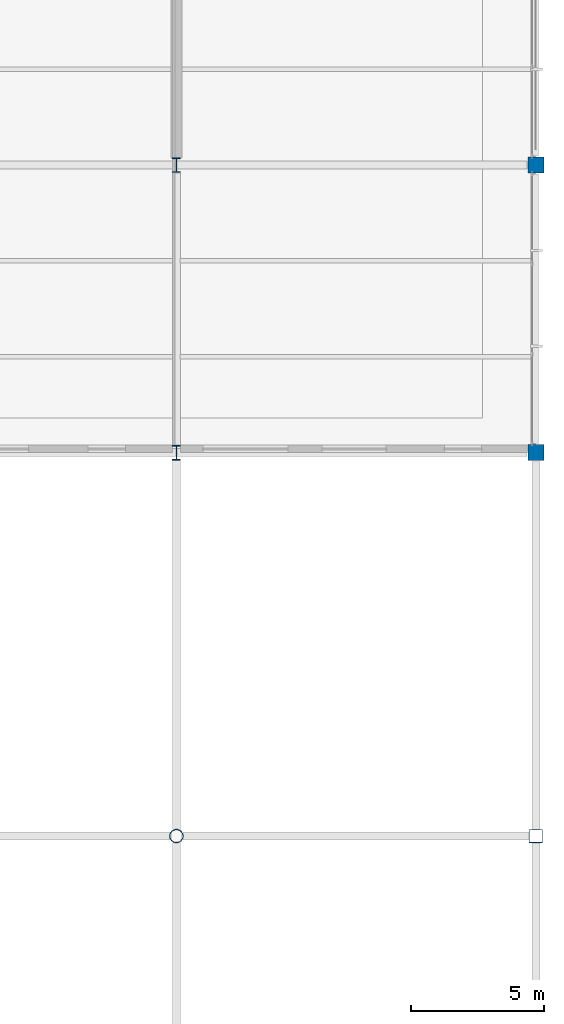
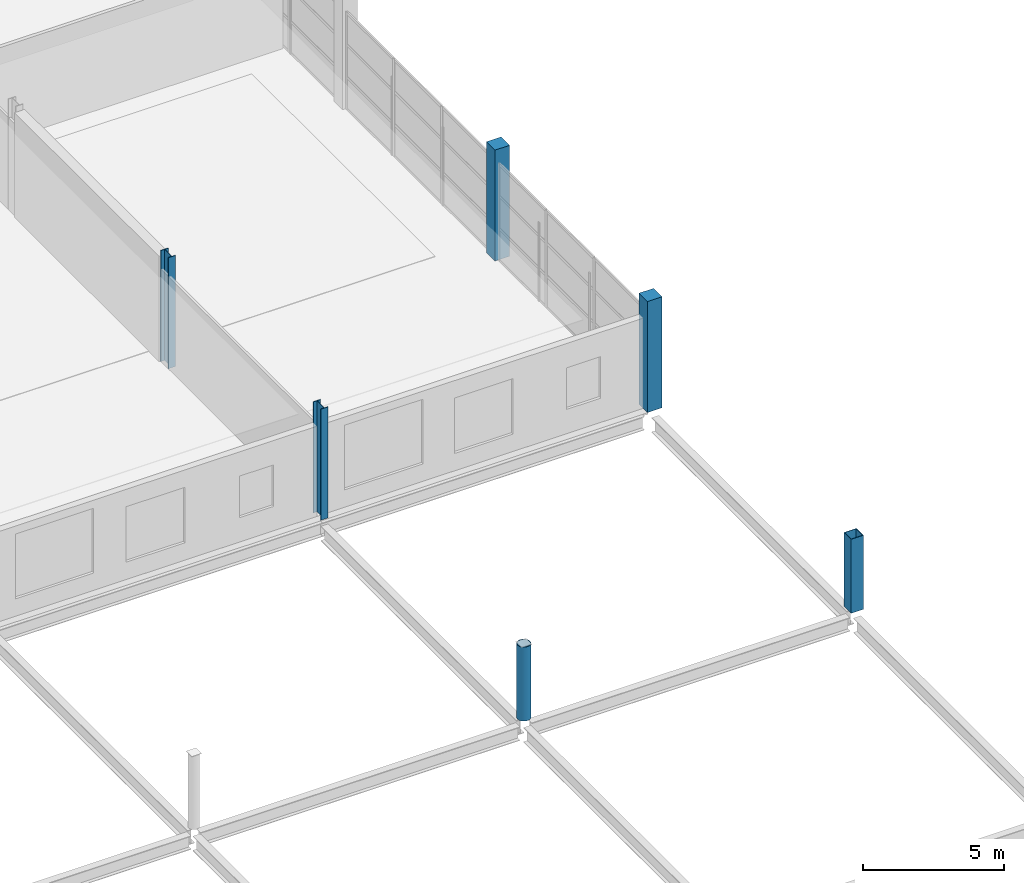
# One storey, part 18 of 134: 6 columns.
"""IFC4 building model written with IfcOpenShell, lengths in metres."""

from ifc_helpers import new_model, si_unit, direction, frame, origin, origin_2d, place, context, subcontext, project, spatial, rectangle, hollow_rectangle, hollow_circle, i_section, extrude, material, material_profile, profile_set, type_object, element, save


model = new_model("IFC4")

# Units and contexts
model_context = context("Model", 3, precision=1e-05, world=origin(), true_north=direction((0.0, 1.0)))
body_context = subcontext(model_context, "Body", "Model", "MODEL_VIEW")
ifc_project = project(units=[si_unit("LENGTHUNIT", "METRE"), si_unit("AREAUNIT", "SQUARE_METRE"), si_unit("VOLUMEUNIT", "CUBIC_METRE"), si_unit("PLANEANGLEUNIT", "RADIAN"), si_unit("MASSUNIT", "GRAM", prefix="KILO")], contexts=[model_context])

# Site, building, storey
site_placement = place(None, origin())
site = spatial("IfcSite", under=ifc_project, at=site_placement, CompositionType="ELEMENT")
building_placement = place(site_placement, origin())
building = spatial("IfcBuilding", under=site, at=building_placement, Name="Tamarisk Ironworks Central Station", CompositionType="ELEMENT")
storey_placement = place(building_placement, frame((0.0, 0.0, 12.60009765625)))
storey = spatial("IfcBuildingStorey", under=building, at=storey_placement, Name="L02", CompositionType="ELEMENT", Elevation=12.60009765625)

# Columns
ifc_material_1 = material(Name="Concrete C50/60", Category="concrete")
ifc_material_profile_1 = material_profile(ifc_material_1, rectangle(XDim=0.60009765625, YDim=0.60009765625, at=origin_2d()), Name="RC 600x600")
ifc_profile_set_1 = profile_set([ifc_material_profile_1], Name="Concrete C50/60")
column_type_1 = type_object("IfcColumnType", Name="COL-RC03", PredefinedType="COLUMN", material=ifc_profile_set_1)
for number, where, z_axis, x_axis, name in (
    (1, (180.0, 79.199951171875, 0.0), (0.0, 0.0, 1.0), (1.0, 0.0, 0.0), "L02 column V5-20G"),
    (2, (180.0, 90.0, 0.0), (0.0, 0.0, 1.0), (1.0, 0.0, 0.0), "L02 column V5-20H"),
):
    element("IfcColumn", number, at=place(storey_placement, frame(where, z_axis=z_axis, x_axis=x_axis)), inside=storey, type_object=column_type_1, Name=name, PredefinedType="COLUMN", context=body_context, shape_type="SweptSolid", body=[
        extrude(rectangle(XDim=0.60009765625, YDim=0.60009765625, at=origin_2d()), origin(), (0.0, 0.0, 1.0), 4.7998046875),
    ])
ifc_material_2 = material(Name="Structural steel S355J2", Category="steel")
ifc_material_profile_2 = material_profile(ifc_material_2, i_section(OverallWidth=0.300048828125, OverallDepth=0.550048828125, WebThickness=0.014892578125, FlangeThickness=0.029052734375, at=origin_2d()), Name="HEB 550")
ifc_profile_set_2 = profile_set([ifc_material_profile_2], Name="Structural steel S355J2")
column_type_2 = type_object("IfcColumnType", Name="COL-S06", PredefinedType="COLUMN", material=ifc_profile_set_2)
for number, where, z_axis, x_axis, name in (
    (3, (166.5, 79.199951171875, 0.0), (0.0, 0.0, 1.0), (1.0, 0.0, 0.0), "L02 column V5-19G"),
    (4, (166.5, 90.0, 0.0), (0.0, 0.0, 1.0), (1.0, 0.0, 0.0), "L02 column V5-19H"),
):
    element("IfcColumn", number, at=place(storey_placement, frame(where, z_axis=z_axis, x_axis=x_axis)), inside=storey, type_object=column_type_2, Name=name, PredefinedType="COLUMN", context=body_context, shape_type="SweptSolid", body=[
        extrude(i_section(OverallWidth=0.300048828125, OverallDepth=0.550048828125, WebThickness=0.014892578125, FlangeThickness=0.029052734375, at=origin_2d()), origin(), (0.0, 0.0, 1.0), 4.7998046875),
    ])
ifc_material_3 = material(Name="Structural steel S355J2H", Category="steel")
ifc_material_profile_3 = material_profile(ifc_material_3, hollow_rectangle(XDim=0.5, YDim=0.5, WallThickness=0.02001953125, at=origin_2d()), Name="SHS 500x500x20")
ifc_profile_set_3 = profile_set([ifc_material_profile_3], Name="Structural steel S355J2H")
column_type_3 = type_object("IfcColumnType", Name="COL-S13", PredefinedType="COLUMN", material=ifc_profile_set_3)
column_1_placement = place(storey_placement, frame((180.0, 64.800048828125, 0.0), z_axis=(0.0, 0.0, 1.0), x_axis=(1.0, 0.0, 0.0)))
element("IfcColumn", 5, at=column_1_placement, inside=storey, type_object=column_type_3, Name="L02 column V1-20F", PredefinedType="COLUMN", context=body_context, shape_type="SweptSolid", body=[
    extrude(hollow_rectangle(XDim=0.5, YDim=0.5, WallThickness=0.02001953125, at=origin_2d()), origin(), (0.0, 0.0, 1.0), 3.199951171875),
])
ifc_material_profile_4 = material_profile(ifc_material_3, hollow_circle(Radius=0.25390625, WallThickness=0.01611328125, at=origin_2d()), Name="CHS 508x16")
ifc_profile_set_4 = profile_set([ifc_material_profile_4], Name="Structural steel S355J2H")
column_type_4 = type_object("IfcColumnType", Name="COL-S16", PredefinedType="COLUMN", material=ifc_profile_set_4)
column_2_placement = place(storey_placement, frame((166.5, 64.800048828125, 0.0), z_axis=(0.0, 0.0, 1.0), x_axis=(1.0, 0.0, 0.0)))
element("IfcColumn", 6, at=column_2_placement, inside=storey, type_object=column_type_4, Name="L02 column V1-19F", PredefinedType="COLUMN", context=body_context, shape_type="SweptSolid", body=[
    extrude(hollow_circle(Radius=0.25390625, WallThickness=0.01611328125, at=origin_2d()), origin(), (0.0, 0.0, 1.0), 3.199951171875),
])

save(model, "model.ifc")
